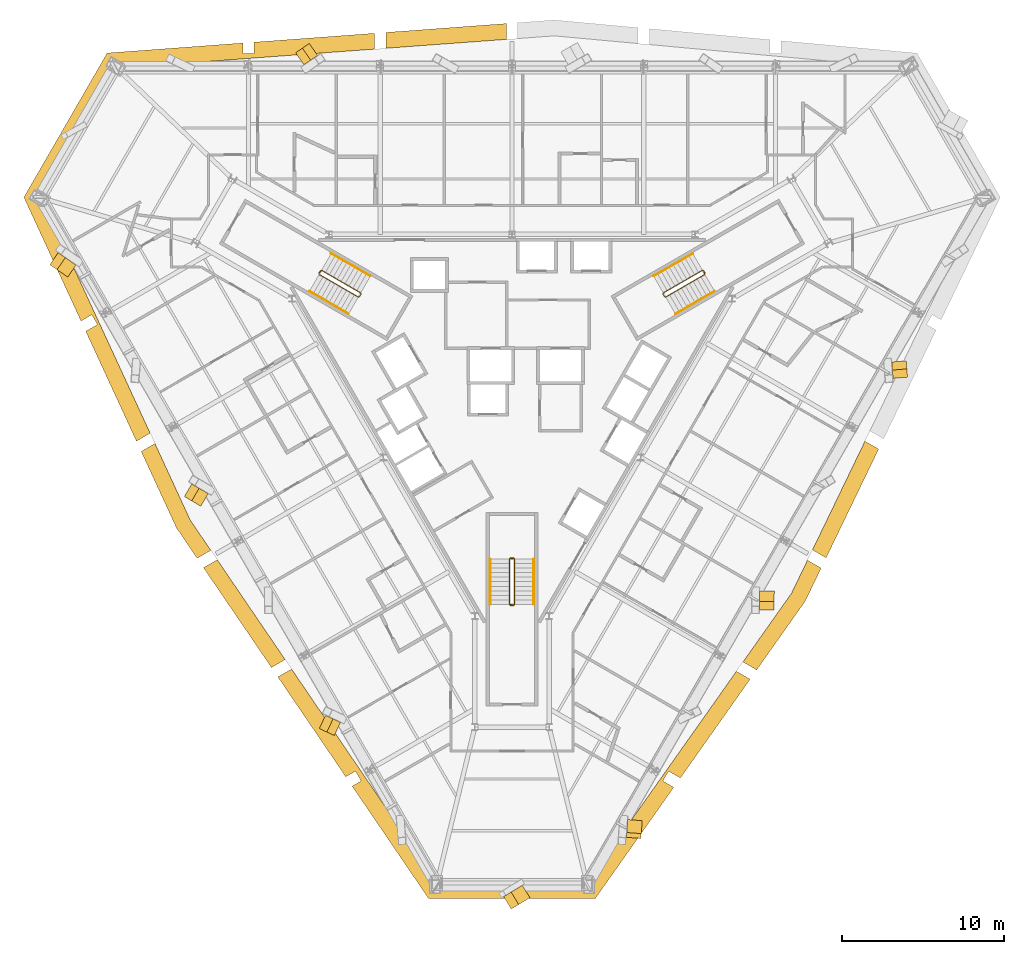
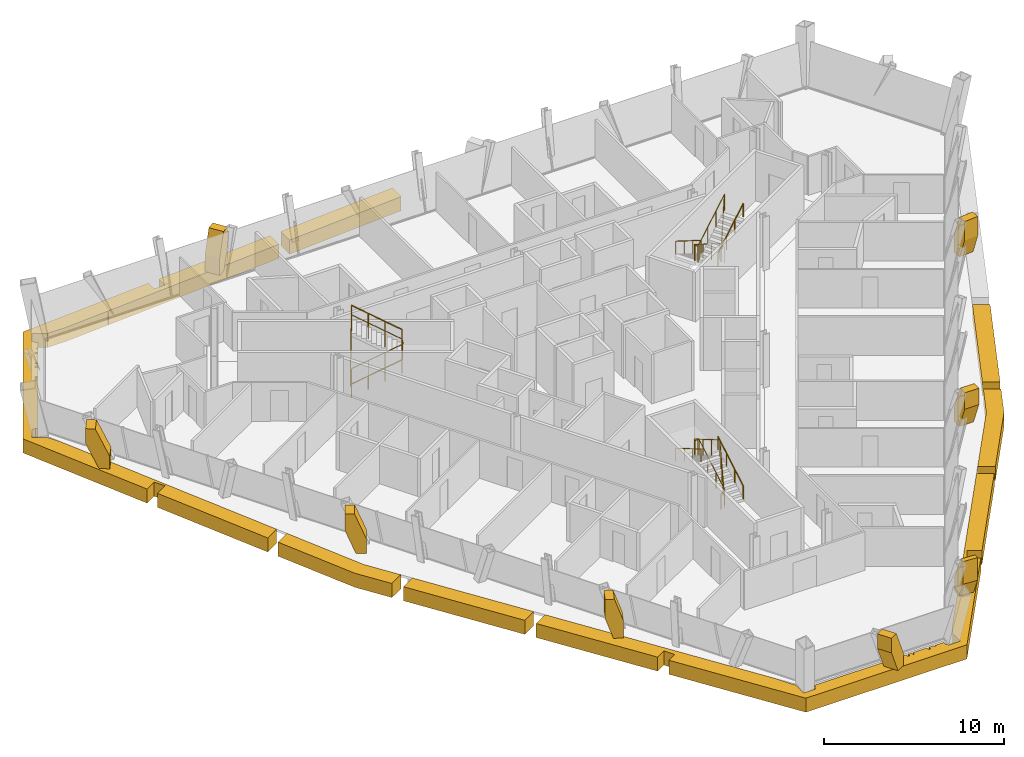
# One storey, part 13 of 14: 15 coverings, 9 railings.
"""IFC4 building model written with IfcOpenShell, lengths in metres."""

from ifc_helpers import new_model, si_unit, direction, frame, origin, origin_2d, place, context, subcontext, project, spatial, polyline, circle, outline, extrude, material, layer, layer_set, type_object, element, save


model = new_model("IFC4")

# Units and contexts
model_context = context("Model", 3, precision=1e-05, world=origin(), true_north=direction((0.0, 1.0)))
body_context = subcontext(model_context, "Body", "Model", "MODEL_VIEW")
ifc_project = project(units=[si_unit("LENGTHUNIT", "METRE"), si_unit("AREAUNIT", "SQUARE_METRE"), si_unit("VOLUMEUNIT", "CUBIC_METRE"), si_unit("PLANEANGLEUNIT", "RADIAN"), si_unit("MASSUNIT", "GRAM", prefix="KILO")], contexts=[model_context])

# Site, building, storey
site_placement = place(None, origin())
site = spatial("IfcSite", under=ifc_project, at=site_placement, CompositionType="ELEMENT")
building_placement = place(site_placement, origin())
building = spatial("IfcBuilding", under=site, at=building_placement, Name="Verrane Prism Tower", CompositionType="ELEMENT")
storey_placement = place(building_placement, frame((0.0, 0.0, 128.800048828125)))
storey = spatial("IfcBuildingStorey", under=building, at=storey_placement, Name="L31", CompositionType="ELEMENT", Elevation=128.800048828125)

# Railings
ifc_material_1 = material(Name="Steel A36 rail and posts, no infill", Category="steel")
railing_type_1 = type_object("IfcRailingType", Name="Stair guard 1100 steel rail and posts", PredefinedType="GUARDRAIL", material=ifc_material_1)
railing_1_placement = place(storey_placement, frame((11.78955078125, 6.97998046875, 0.16357421875)))
element("IfcRailing", 1, at=railing_1_placement, inside=storey, type_object=railing_type_1, Name="Stair 1 guard", PredefinedType="GUARDRAIL", context=body_context, shape_type="SweptSolid", body=[
    extrude(circle(Radius=0.02392578125, at=origin_2d()), frame((0.0, 0.0, 1.076171875), z_axis=(-0.747665513933, -0.431721881032, 0.504591415616), x_axis=(0.500049511043, -0.865996816683, 0.0)), (0.0, 0.0, 1.0), 3.2431640625),
    extrude(circle(Radius=0.02392578125, at=origin_2d()), frame((-2.4248046875, -1.400146484375, 2.71240234375), z_axis=(-0.259601060869, -0.965715946433, 0.0), x_axis=(0.965715946433, -0.259601060869, 0.0)), (0.0, 0.0, 1.0), 0.070556640625),
    extrude(circle(Radius=0.02392578125, at=origin_2d()), frame((-2.443115234375, -1.46826171875, 2.71240234375), z_axis=(0.499158860599, -0.866510491504, 0.0), x_axis=(0.866510491504, 0.499158860599, 0.0)), (0.0, 0.0, 1.0), 0.199951171875),
    extrude(circle(Radius=0.02392578125, at=origin_2d()), frame((-2.34326171875, -1.6416015625, 2.71240234375), z_axis=(0.383552647116, -0.102737316192, 0.917786691313), x_axis=(0.258736085224, 0.965948051503, 0.0)), (0.0, 0.0, 1.0), 0.17822265625),
    extrude(circle(Radius=0.02392578125, at=origin_2d()), frame((-2.27490234375, -1.659912109375, 2.8759765625), z_axis=(0.747693913401, 0.431738279637, 0.504535300807), x_axis=(-0.500049511043, 0.865996816683, 0.0)), (0.0, 0.0, 1.0), 3.2431640625),
    extrude(circle(Radius=0.02392578125, at=origin_2d()), frame((0.14990234375, -0.259765625, 4.51220703125), z_axis=(-0.022595193939, 0.066906128161, -0.9975033971), x_axis=(-0.947430582667, -0.3199613899, 0.0)), (0.0, 0.0, 1.0), 3.60888671875),
    extrude(circle(Radius=0.02392578125, at=origin_2d()), frame((0.068359375, -0.018310546875, 0.91259765625), z_axis=(0.499158860599, -0.866510491504, 0.0), x_axis=(0.866510491504, 0.499158860599, 0.0)), (0.0, 0.0, 1.0), 0.199951171875),
    extrude(circle(Radius=0.02099609375, at=origin_2d()), origin(), (0.0, 0.0, 1.0), 1.052001953125),
    extrude(circle(Radius=0.02099609375, at=origin_2d()), frame((-0.808349609375, -0.466796875, 0.54541015625)), (0.0, 0.0, 1.0), 1.052001953125),
    extrude(circle(Radius=0.02099609375, at=origin_2d()), frame((-1.616455078125, -0.933349609375, 1.091064453125)), (0.0, 0.0, 1.0), 1.052001953125),
    extrude(circle(Radius=0.02099609375, at=origin_2d()), frame((-2.4248046875, -1.400146484375, 1.636474609375)), (0.0, 0.0, 1.0), 1.052001953125),
    extrude(circle(Radius=0.02099609375, at=origin_2d()), frame((-2.443115234375, -1.46826171875, 1.636474609375)), (0.0, 0.0, 1.0), 1.052001953125),
    extrude(circle(Radius=0.02099609375, at=origin_2d()), frame((-2.34326171875, -1.6416015625, 1.636474609375)), (0.0, 0.0, 1.0), 1.052001953125),
    extrude(circle(Radius=0.02099609375, at=origin_2d()), frame((-2.27490234375, -1.659912109375, 1.800048828125)), (0.0, 0.0, 1.0), 1.052001953125),
    extrude(circle(Radius=0.02099609375, at=origin_2d()), frame((-1.466552734375, -1.193115234375, 2.345458984375)), (0.0, 0.0, 1.0), 1.052001953125),
    extrude(circle(Radius=0.02099609375, at=origin_2d()), frame((-0.658447265625, -0.7265625, 2.890869140625)), (0.0, 0.0, 1.0), 1.052001953125),
    extrude(circle(Radius=0.02099609375, at=origin_2d()), frame((0.14990234375, -0.259765625, 3.436279296875)), (0.0, 0.0, 1.0), 1.052001953125),
    extrude(circle(Radius=0.02099609375, at=origin_2d()), frame((0.12939453125, -0.199462890625, 2.536376953125)), (0.0, 0.0, 1.0), 1.052001953125),
    extrude(circle(Radius=0.02099609375, at=origin_2d()), frame((0.109130859375, -0.13916015625, 1.63623046875)), (0.0, 0.0, 1.0), 1.052001953125),
    extrude(circle(Radius=0.02099609375, at=origin_2d()), frame((0.0888671875, -0.07861328125, 0.736328125)), (0.0, 0.0, 1.0), 1.052001953125),
    extrude(circle(Radius=0.02099609375, at=origin_2d()), frame((0.068359375, -0.018310546875, -0.16357421875)), (0.0, 0.0, 1.0), 1.052001953125),
    extrude(circle(Radius=0.02099609375, at=origin_2d()), frame((0.168212890625, -0.191650390625, -0.16357421875)), (0.0, 0.0, 1.0), 1.052001953125),
])
railing_2_placement = place(storey_placement, frame((-11.939453125, 6.72021484375, 0.16357421875)))
element("IfcRailing", 2, at=railing_2_placement, inside=storey, type_object=railing_type_1, Name="Stair 2 guard", PredefinedType="GUARDRAIL", context=body_context, shape_type="SweptSolid", body=[
    extrude(circle(Radius=0.02392578125, at=origin_2d()), frame((0.0, 0.0, 1.076171875), z_axis=(0.747665513933, -0.431721881032, 0.504591415616), x_axis=(0.500049511043, 0.865996816683, 0.0)), (0.0, 0.0, 1.0), 3.2431640625),
    extrude(circle(Radius=0.02392578125, at=origin_2d()), frame((2.4248046875, -1.400146484375, 2.71240234375), z_axis=(0.965948051503, 0.258736085224, 0.0), x_axis=(-0.258736085224, 0.965948051503, 0.0)), (0.0, 0.0, 1.0), 0.07080078125),
    extrude(circle(Radius=0.02392578125, at=origin_2d()), frame((2.4931640625, -1.3818359375, 2.71240234375), z_axis=(0.499158860599, 0.866510491504, 0.0), x_axis=(-0.866510491504, 0.499158860599, 0.0)), (0.0, 0.0, 1.0), 0.199951171875),
    extrude(circle(Radius=0.02392578125, at=origin_2d()), frame((2.593017578125, -1.20849609375, 2.71240234375), z_axis=(-0.102791240646, 0.382383415203, 0.918268416436), x_axis=(-0.965715946433, -0.259601060869, 0.0)), (0.0, 0.0, 1.0), 0.17822265625),
    extrude(circle(Radius=0.02392578125, at=origin_2d()), frame((2.57470703125, -1.140380859375, 2.8759765625), z_axis=(-0.747693913401, 0.431738279637, 0.504535300807), x_axis=(-0.500049511043, -0.865996816683, 0.0)), (0.0, 0.0, 1.0), 3.2431640625),
    extrude(circle(Radius=0.02392578125, at=origin_2d()), frame((0.14990234375, 0.259765625, 4.51220703125), z_axis=(-0.046610908435, -0.053105316576, -0.997500500534), x_axis=(0.751567565678, -0.659656118156, 0.0)), (0.0, 0.0, 1.0), 3.60888671875),
    extrude(circle(Radius=0.02392578125, at=origin_2d()), frame((-0.018310546875, 0.068115234375, 0.91259765625), z_axis=(0.499158860599, 0.866510491504, 0.0), x_axis=(-0.866510491504, 0.499158860599, 0.0)), (0.0, 0.0, 1.0), 0.199951171875),
    extrude(circle(Radius=0.02099609375, at=origin_2d()), origin(), (0.0, 0.0, 1.0), 1.052001953125),
    extrude(circle(Radius=0.02099609375, at=origin_2d()), frame((0.808349609375, -0.466796875, 0.54541015625)), (0.0, 0.0, 1.0), 1.052001953125),
    extrude(circle(Radius=0.02099609375, at=origin_2d()), frame((1.616455078125, -0.933349609375, 1.091064453125)), (0.0, 0.0, 1.0), 1.052001953125),
    extrude(circle(Radius=0.02099609375, at=origin_2d()), frame((2.4248046875, -1.400146484375, 1.636474609375)), (0.0, 0.0, 1.0), 1.052001953125),
    extrude(circle(Radius=0.02099609375, at=origin_2d()), frame((2.4931640625, -1.3818359375, 1.636474609375)), (0.0, 0.0, 1.0), 1.052001953125),
    extrude(circle(Radius=0.02099609375, at=origin_2d()), frame((2.593017578125, -1.20849609375, 1.636474609375)), (0.0, 0.0, 1.0), 1.052001953125),
    extrude(circle(Radius=0.02099609375, at=origin_2d()), frame((2.57470703125, -1.140380859375, 1.800048828125)), (0.0, 0.0, 1.0), 1.052001953125),
    extrude(circle(Radius=0.02099609375, at=origin_2d()), frame((1.766357421875, -0.673583984375, 2.345458984375)), (0.0, 0.0, 1.0), 1.052001953125),
    extrude(circle(Radius=0.02099609375, at=origin_2d()), frame((0.958251953125, -0.20703125, 2.890869140625)), (0.0, 0.0, 1.0), 1.052001953125),
    extrude(circle(Radius=0.02099609375, at=origin_2d()), frame((0.14990234375, 0.259765625, 3.436279296875)), (0.0, 0.0, 1.0), 1.052001953125),
    extrude(circle(Radius=0.02099609375, at=origin_2d()), frame((0.10791015625, 0.2119140625, 2.536376953125)), (0.0, 0.0, 1.0), 1.052001953125),
    extrude(circle(Radius=0.02099609375, at=origin_2d()), frame((0.06591796875, 0.1640625, 1.63623046875)), (0.0, 0.0, 1.0), 1.052001953125),
    extrude(circle(Radius=0.02099609375, at=origin_2d()), frame((0.023681640625, 0.115966796875, 0.736328125)), (0.0, 0.0, 1.0), 1.052001953125),
    extrude(circle(Radius=0.02099609375, at=origin_2d()), frame((-0.018310546875, 0.068115234375, -0.16357421875)), (0.0, 0.0, 1.0), 1.052001953125),
    extrude(circle(Radius=0.02099609375, at=origin_2d()), frame((0.08154296875, 0.241455078125, -0.16357421875)), (0.0, 0.0, 1.0), 1.052001953125),
])
railing_3_placement = place(storey_placement, frame((0.14990234375, -13.699951171875, 0.16357421875)))
element("IfcRailing", 3, at=railing_3_placement, inside=storey, type_object=railing_type_1, Name="Stair 3 guard", PredefinedType="GUARDRAIL", context=body_context, shape_type="SweptSolid", body=[
    extrude(circle(Radius=0.02392578125, at=origin_2d()), frame((0.0, 0.0, 1.076171875), z_axis=(0.0, 0.863360870873, 0.504586966384), x_axis=(-1.0, 0.0, 0.0)), (0.0, 0.0, 1.0), 3.2431640625),
    extrude(circle(Radius=0.02392578125, at=origin_2d()), frame((0.0, 2.800048828125, 2.71240234375), z_axis=(-0.707106781187, 0.707106781187, 0.0), x_axis=(-0.707106781187, -0.707106781187, 0.0)), (0.0, 0.0, 1.0), 0.0703125),
    extrude(circle(Radius=0.02392578125, at=origin_2d()), frame((-0.0498046875, 2.849853515625, 2.71240234375), z_axis=(-1.0, 0.0, 0.0), x_axis=(0.0, -1.0, 0.0)), (0.0, 0.0, 1.0), 0.2001953125),
    extrude(circle(Radius=0.02392578125, at=origin_2d()), frame((-0.25, 2.849853515625, 2.71240234375), z_axis=(-0.279653641804, -0.279653641804, 0.918470294159), x_axis=(0.707106781187, -0.707106781187, 0.0)), (0.0, 0.0, 1.0), 0.177978515625),
    extrude(circle(Radius=0.02392578125, at=origin_2d()), frame((-0.2998046875, 2.800048828125, 2.8759765625), z_axis=(0.0, -0.863393664356, 0.504530851732), x_axis=(1.0, 0.0, 0.0)), (0.0, 0.0, 1.0), 3.2431640625),
    extrude(circle(Radius=0.02392578125, at=origin_2d()), frame((-0.2998046875, 0.0, 4.51220703125), z_axis=(0.069273741535, -0.013868278335, -0.997501288014), x_axis=(0.196300278283, 0.98054382908, 0.0)), (0.0, 0.0, 1.0), 3.60888671875),
    extrude(circle(Radius=0.02392578125, at=origin_2d()), frame((-0.0498046875, -0.050048828125, 0.91259765625), z_axis=(-1.0, 0.0, 0.0), x_axis=(0.0, -1.0, 0.0)), (0.0, 0.0, 1.0), 0.2001953125),
    extrude(circle(Radius=0.02099609375, at=origin_2d()), origin(), (0.0, 0.0, 1.0), 1.052001953125),
    extrude(circle(Radius=0.02099609375, at=origin_2d()), frame((0.0, 0.933349609375, 0.54541015625)), (0.0, 0.0, 1.0), 1.052001953125),
    extrude(circle(Radius=0.02099609375, at=origin_2d()), frame((0.0, 1.86669921875, 1.091064453125)), (0.0, 0.0, 1.0), 1.052001953125),
    extrude(circle(Radius=0.02099609375, at=origin_2d()), frame((0.0, 2.800048828125, 1.636474609375)), (0.0, 0.0, 1.0), 1.052001953125),
    extrude(circle(Radius=0.02099609375, at=origin_2d()), frame((-0.0498046875, 2.849853515625, 1.636474609375)), (0.0, 0.0, 1.0), 1.052001953125),
    extrude(circle(Radius=0.02099609375, at=origin_2d()), frame((-0.25, 2.849853515625, 1.636474609375)), (0.0, 0.0, 1.0), 1.052001953125),
    extrude(circle(Radius=0.02099609375, at=origin_2d()), frame((-0.2998046875, 2.800048828125, 1.800048828125)), (0.0, 0.0, 1.0), 1.052001953125),
    extrude(circle(Radius=0.02099609375, at=origin_2d()), frame((-0.2998046875, 1.86669921875, 2.345458984375)), (0.0, 0.0, 1.0), 1.052001953125),
    extrude(circle(Radius=0.02099609375, at=origin_2d()), frame((-0.2998046875, 0.933349609375, 2.890869140625)), (0.0, 0.0, 1.0), 1.052001953125),
    extrude(circle(Radius=0.02099609375, at=origin_2d()), frame((-0.2998046875, 0.0, 3.436279296875)), (0.0, 0.0, 1.0), 1.052001953125),
    extrude(circle(Radius=0.02099609375, at=origin_2d()), frame((-0.2373046875, -0.012451171875, 2.536376953125)), (0.0, 0.0, 1.0), 1.052001953125),
    extrude(circle(Radius=0.02099609375, at=origin_2d()), frame((-0.1748046875, -0.02490234375, 1.63623046875)), (0.0, 0.0, 1.0), 1.052001953125),
    extrude(circle(Radius=0.02099609375, at=origin_2d()), frame((-0.1123046875, -0.03759765625, 0.736328125)), (0.0, 0.0, 1.0), 1.052001953125),
    extrude(circle(Radius=0.02099609375, at=origin_2d()), frame((-0.0498046875, -0.050048828125, -0.16357421875)), (0.0, 0.0, 1.0), 1.052001953125),
    extrude(circle(Radius=0.02099609375, at=origin_2d()), frame((-0.25, -0.050048828125, -0.16357421875)), (0.0, 0.0, 1.0), 1.052001953125),
])
ifc_material_2 = material(Name="Steel A36 tube", Category="steel")
railing_type_2 = type_object("IfcRailingType", Name="Stair handrail 900 steel tube", PredefinedType="HANDRAIL", material=ifc_material_2)
railing_4_placement = place(storey_placement, frame((11.189453125, 8.01904296875, 0.16357421875)))
element("IfcRailing", 4, at=railing_4_placement, inside=storey, type_object=railing_type_2, Name="Stair 1 handrail", PredefinedType="HANDRAIL", context=body_context, shape_type="SweptSolid", body=[
    extrude(circle(Radius=0.02392578125, at=origin_2d()), frame((0.0, 0.0, 0.8759765625), z_axis=(-0.747689811644, -0.431660630283, 0.504607813879), x_axis=(0.49998411664, -0.866034573852, 0.0)), (0.0, 0.0, 1.0), 3.2431640625),
    extrude(circle(Radius=0.02099609375, at=origin_2d()), origin(), (0.0, 0.0, 1.0), 0.851806640625),
    extrude(circle(Radius=0.02099609375, at=origin_2d()), frame((-0.808349609375, -0.466552734375, 0.54541015625)), (0.0, 0.0, 1.0), 0.851806640625),
    extrude(circle(Radius=0.02099609375, at=origin_2d()), frame((-1.616455078125, -0.933349609375, 1.091064453125)), (0.0, 0.0, 1.0), 0.851806640625),
    extrude(circle(Radius=0.02099609375, at=origin_2d()), frame((-2.4248046875, -1.39990234375, 1.636474609375)), (0.0, 0.0, 1.0), 0.851806640625),
])
railing_5_placement = place(storey_placement, frame((10.11474609375, 4.28076171875, 1.963623046875)))
element("IfcRailing", 5, at=railing_5_placement, inside=storey, type_object=railing_type_2, Name="Stair 1 handrail", PredefinedType="HANDRAIL", context=body_context, shape_type="SweptSolid", body=[
    extrude(circle(Radius=0.02392578125, at=origin_2d()), frame((0.0, 0.0, 0.8759765625), z_axis=(0.747693913401, 0.431738279637, 0.504535300807), x_axis=(-0.500049511043, 0.865996816683, 0.0)), (0.0, 0.0, 1.0), 3.2431640625),
    extrude(circle(Radius=0.02099609375, at=origin_2d()), origin(), (0.0, 0.0, 1.0), 0.851806640625),
    extrude(circle(Radius=0.02099609375, at=origin_2d()), frame((0.808349609375, 0.466796875, 0.54541015625)), (0.0, 0.0, 1.0), 0.851806640625),
    extrude(circle(Radius=0.02099609375, at=origin_2d()), frame((1.616455078125, 0.933349609375, 1.0908203125)), (0.0, 0.0, 1.0), 0.851806640625),
    extrude(circle(Radius=0.02099609375, at=origin_2d()), frame((2.4248046875, 1.400146484375, 1.63623046875)), (0.0, 0.0, 1.0), 0.851806640625),
])
railing_6_placement = place(storey_placement, frame((-12.53955078125, 5.680908203125, 0.16357421875)))
element("IfcRailing", 6, at=railing_6_placement, inside=storey, type_object=railing_type_2, Name="Stair 2 handrail", PredefinedType="HANDRAIL", context=body_context, shape_type="SweptSolid", body=[
    extrude(circle(Radius=0.02392578125, at=origin_2d()), frame((0.0, 0.0, 0.8759765625), z_axis=(0.747665513933, -0.431721881032, 0.504591415616), x_axis=(0.500049511043, 0.865996816683, 0.0)), (0.0, 0.0, 1.0), 3.2431640625),
    extrude(circle(Radius=0.02099609375, at=origin_2d()), origin(), (0.0, 0.0, 1.0), 0.851806640625),
    extrude(circle(Radius=0.02099609375, at=origin_2d()), frame((0.808349609375, -0.466796875, 0.54541015625)), (0.0, 0.0, 1.0), 0.851806640625),
    extrude(circle(Radius=0.02099609375, at=origin_2d()), frame((1.616455078125, -0.933349609375, 1.091064453125)), (0.0, 0.0, 1.0), 0.851806640625),
    extrude(circle(Radius=0.02099609375, at=origin_2d()), frame((2.4248046875, -1.400146484375, 1.636474609375)), (0.0, 0.0, 1.0), 0.851806640625),
])
railing_7_placement = place(storey_placement, frame((-8.7646484375, 6.619140625, 1.963623046875)))
element("IfcRailing", 7, at=railing_7_placement, inside=storey, type_object=railing_type_2, Name="Stair 2 handrail", PredefinedType="HANDRAIL", context=body_context, shape_type="SweptSolid", body=[
    extrude(circle(Radius=0.02392578125, at=origin_2d()), frame((0.0, 0.0, 0.8759765625), z_axis=(-0.74771821388, 0.431677027627, 0.504551698492), x_axis=(-0.49998411664, -0.866034573852, 0.0)), (0.0, 0.0, 1.0), 3.242919921875),
    extrude(circle(Radius=0.02099609375, at=origin_2d()), origin(), (0.0, 0.0, 1.0), 0.851806640625),
    extrude(circle(Radius=0.02099609375, at=origin_2d()), frame((-0.808349609375, 0.466552734375, 0.54541015625)), (0.0, 0.0, 1.0), 0.851806640625),
    extrude(circle(Radius=0.02099609375, at=origin_2d()), frame((-1.616455078125, 0.933349609375, 1.0908203125)), (0.0, 0.0, 1.0), 0.851806640625),
    extrude(circle(Radius=0.02099609375, at=origin_2d()), frame((-2.4248046875, 1.39990234375, 1.63623046875)), (0.0, 0.0, 1.0), 0.851806640625),
])
railing_8_placement = place(storey_placement, frame((1.35009765625, -13.699951171875, 0.16357421875)))
element("IfcRailing", 8, at=railing_8_placement, inside=storey, type_object=railing_type_2, Name="Stair 3 handrail", PredefinedType="HANDRAIL", context=body_context, shape_type="SweptSolid", body=[
    extrude(circle(Radius=0.02392578125, at=origin_2d()), frame((0.0, 0.0, 0.8759765625), z_axis=(0.0, 0.863360870873, 0.504586966384), x_axis=(-1.0, 0.0, 0.0)), (0.0, 0.0, 1.0), 3.2431640625),
    extrude(circle(Radius=0.02099609375, at=origin_2d()), origin(), (0.0, 0.0, 1.0), 0.851806640625),
    extrude(circle(Radius=0.02099609375, at=origin_2d()), frame((0.0, 0.933349609375, 0.54541015625)), (0.0, 0.0, 1.0), 0.851806640625),
    extrude(circle(Radius=0.02099609375, at=origin_2d()), frame((0.0, 1.86669921875, 1.091064453125)), (0.0, 0.0, 1.0), 0.851806640625),
    extrude(circle(Radius=0.02099609375, at=origin_2d()), frame((0.0, 2.800048828125, 1.636474609375)), (0.0, 0.0, 1.0), 0.851806640625),
])
railing_9_placement = place(storey_placement, frame((-1.35009765625, -10.89990234375, 1.963623046875)))
element("IfcRailing", 9, at=railing_9_placement, inside=storey, type_object=railing_type_2, Name="Stair 3 handrail", PredefinedType="HANDRAIL", context=body_context, shape_type="SweptSolid", body=[
    extrude(circle(Radius=0.02392578125, at=origin_2d()), frame((0.0, 0.0, 0.8759765625), z_axis=(0.0, -0.863393664356, 0.504530851732), x_axis=(1.0, 0.0, 0.0)), (0.0, 0.0, 1.0), 3.2431640625),
    extrude(circle(Radius=0.02099609375, at=origin_2d()), origin(), (0.0, 0.0, 1.0), 0.851806640625),
    extrude(circle(Radius=0.02099609375, at=origin_2d()), frame((0.0, -0.933349609375, 0.54541015625)), (0.0, 0.0, 1.0), 0.851806640625),
    extrude(circle(Radius=0.02099609375, at=origin_2d()), frame((0.0, -1.86669921875, 1.0908203125)), (0.0, 0.0, 1.0), 0.851806640625),
    extrude(circle(Radius=0.02099609375, at=origin_2d()), frame((0.0, -2.800048828125, 1.63623046875)), (0.0, 0.0, 1.0), 0.851806640625),
])

# Coverings
ifc_material_3 = material(Name="Warm limestone cladding", Category="masonry")
ifc_layer_1 = layer(ifc_material_3, 0.89990234375)
ifc_layer_set_1 = layer_set([ifc_layer_1], Name="Stone brace fin 900")
covering_type_1 = type_object("IfcCoveringType", Name="Stone brace fin 900", PredefinedType="CLADDING", material=ifc_layer_set_1)
covering_1_placement = place(storey_placement, frame((-13.134765625, 20.069091796875, 0.0), z_axis=(0.0, 0.0, 1.0), x_axis=(0.822638957007, 0.568564109327, 0.0)))
element("IfcCovering", 10, at=covering_1_placement, inside=storey, type_object=covering_type_1, Name="Stone brace fin N5 L31", PredefinedType="CLADDING", context=body_context, shape_type="SweptSolid", body=[
    extrude(outline(polyline([(1.0224609375, 2.64990234375), (0.5078125, 2.64990234375), (0.0, 1.15576171875), (0.0, 0.0), (0.5576171875, 0.0), (1.0224609375, 1.3671875), (1.0224609375, 2.64990234375)])), frame((0.0, 0.449951171875, 0.0), z_axis=(0.0, -1.0, 0.0), x_axis=(1.0, 0.0, 0.0)), (0.0, 0.0, 1.0), 0.89990234375),
])
covering_2_placement = place(storey_placement, frame((-27.242919921875, 6.93359375, 0.0), z_axis=(0.0, 0.0, 1.0), x_axis=(-0.823819783975, 0.566851800324, 0.0)))
element("IfcCovering", 11, at=covering_2_placement, inside=storey, type_object=covering_type_1, Name="Stone brace fin SW1 L31", PredefinedType="CLADDING", context=body_context, shape_type="SweptSolid", body=[
    extrude(outline(polyline([(1.34716796875, 2.64990234375), (0.802490234375, 2.64990234375), (0.0, 0.8583984375), (0.0, 0.0), (0.601806640625, 0.0), (1.34716796875, 1.66455078125), (1.34716796875, 2.64990234375)])), frame((0.0, 0.449951171875, 0.0), z_axis=(0.0, -1.0, 0.0), x_axis=(1.0, 0.0, 0.0)), (0.0, 0.0, 1.0), 0.89990234375),
])
covering_3_placement = place(storey_placement, frame((-19.03515625, -7.234130859375, 0.0), z_axis=(0.0, 0.0, 1.0), x_axis=(-0.862582721978, 0.50591604812, 0.0)))
element("IfcCovering", 12, at=covering_3_placement, inside=storey, type_object=covering_type_1, Name="Stone brace fin SW3 L31", PredefinedType="CLADDING", context=body_context, shape_type="SweptSolid", body=[
    extrude(outline(polyline([(1.17919921875, 2.64990234375), (0.650634765625, 2.64990234375), (0.0, 0.990234375), (0.0, 0.0), (0.57861328125, 0.0), (1.17919921875, 1.53271484375), (1.17919921875, 2.64990234375)])), frame((0.0, 0.449951171875, 0.0), z_axis=(0.0, -1.0, 0.0), x_axis=(1.0, 0.0, 0.0)), (0.0, 0.0, 1.0), 0.89990234375),
])
covering_4_placement = place(storey_placement, frame((-10.80859375, -21.410400390625, 0.0), z_axis=(0.0, 0.0, 1.0), x_axis=(-0.905527898853, 0.424286724278, 0.0)))
element("IfcCovering", 13, at=covering_4_placement, inside=storey, type_object=covering_type_1, Name="Stone brace fin SW5 L31", PredefinedType="CLADDING", context=body_context, shape_type="SweptSolid", body=[
    extrude(outline(polyline([(1.0205078125, 2.64990234375), (0.506103515625, 2.64990234375), (0.0, 1.158203125), (0.0, 0.0), (0.5576171875, 0.0), (1.0205078125, 1.36474609375), (1.0205078125, 2.64990234375)])), frame((0.0, 0.449951171875, 0.0), z_axis=(0.0, -1.0, 0.0), x_axis=(1.0, 0.0, 0.0)), (0.0, 0.0, 1.0), 0.89990234375),
])
covering_5_placement = place(storey_placement, frame((7.61376953125, -27.056640625, 0.0), z_axis=(0.0, 0.0, 1.0), x_axis=(-0.075357465758, -0.997156583669, 0.0)))
element("IfcCovering", 14, at=covering_5_placement, inside=storey, type_object=covering_type_1, Name="Stone brace fin SE1 L31", PredefinedType="CLADDING", context=body_context, shape_type="SweptSolid", body=[
    extrude(outline(polyline([(1.1015625, 2.64990234375), (0.8037109375, 2.64990234375), (0.0, 0.857177734375), (0.0, 0.0), (0.601806640625, 0.0), (1.1015625, 1.1142578125), (1.1015625, 2.64990234375)])), frame((0.0, 0.449951171875, 0.0), z_axis=(0.0, -1.0, 0.0), x_axis=(1.0, 0.0, 0.0)), (0.0, 0.0, 1.0), 0.89990234375),
])
covering_6_placement = place(storey_placement, frame((15.78466796875, -12.862548828125, 0.0), z_axis=(0.0, 0.0, 1.0), x_axis=(-0.006795559726, -0.999976909917, 0.0)))
element("IfcCovering", 15, at=covering_6_placement, inside=storey, type_object=covering_type_1, Name="Stone brace fin SE3 L31", PredefinedType="CLADDING", context=body_context, shape_type="SweptSolid", body=[
    extrude(outline(polyline([(1.185546875, 2.64990234375), (0.656494140625, 2.64990234375), (0.0, 0.984619140625), (0.0, 0.0), (0.579345703125, 0.0), (1.185546875, 1.538330078125), (1.185546875, 2.64990234375)])), frame((0.0, 0.449951171875, 0.0), z_axis=(0.0, -1.0, 0.0), x_axis=(1.0, 0.0, 0.0)), (0.0, 0.0, 1.0), 0.89990234375),
])
covering_7_placement = place(storey_placement, frame((23.951904296875, 1.339111328125, 0.0), z_axis=(0.0, 0.0, 1.0), x_axis=(0.079649868483, -0.99682290225, 0.0)))
element("IfcCovering", 16, at=covering_7_placement, inside=storey, type_object=covering_type_1, Name="Stone brace fin SE5 L31", PredefinedType="CLADDING", context=body_context, shape_type="SweptSolid", body=[
    extrude(outline(polyline([(1.017578125, 2.64990234375), (0.50341796875, 2.64990234375), (0.0, 1.161865234375), (0.0, 0.0), (0.55712890625, 0.0), (1.017578125, 1.361083984375), (1.017578125, 2.64990234375)])), frame((0.0, 0.449951171875, 0.0), z_axis=(0.0, -1.0, 0.0), x_axis=(1.0, 0.0, 0.0)), (0.0, 0.0, 1.0), 0.89990234375),
])
covering_8_placement = place(storey_placement, frame((0.87353515625, -31.476806640625, 0.0), z_axis=(0.0, 0.0, 1.0), x_axis=(-0.855090972086, -0.518477993223, 0.0)))
element("IfcCovering", 17, at=covering_8_placement, inside=storey, type_object=covering_type_1, Name="Stone brace fin S1 L31", PredefinedType="CLADDING", context=body_context, shape_type="SweptSolid", body=[
    extrude(outline(polyline([(1.350341796875, 2.64990234375), (0.808349609375, 2.64990234375), (0.0, 0.85205078125), (0.0, 0.0), (0.603515625, 0.0), (1.350341796875, 1.66064453125), (1.350341796875, 2.64990234375)])), frame((0.0, 0.449951171875, 0.0), z_axis=(0.0, -1.0, 0.0), x_axis=(1.0, 0.0, 0.0)), (0.0, 0.0, 1.0), 0.89990234375),
])
ifc_material_4 = material(Name="Warm limestone cladding", Category="masonry")
ifc_layer_2 = layer(ifc_material_4, 0.449951171875)
ifc_layer_set_2 = layer_set([ifc_layer_2], Name="Stone spandrel band 450")
covering_type_2 = type_object("IfcCoveringType", Name="Stone spandrel band 450", PredefinedType="CLADDING", material=ifc_layer_set_2)
covering_9_placement = place(storey_placement, frame((0.0, 0.0, -0.949951171875)))
element("IfcCovering", 18, at=covering_9_placement, inside=storey, type_object=covering_type_2, Name="Stone spandrel band L31 part 2", PredefinedType="CLADDING", context=body_context, shape_type="SweptSolid", body=[
    extrude(outline(polyline([(-22.397216796875, -3.107666015625), (-28.50146484375, 10.119140625), (-28.9697265625, 10.93017578125), (-29.7158203125, 11.36083984375), (-29.335693359375, 12.01904296875), (-29.316650390625, 12.008056640625), (-29.094482421875, 12.008056640625), (-28.982666015625, 11.943603515625), (-26.68310546875, 15.926513671875), (-26.79638671875, 16.13330078125), (-26.66015625, 16.2080078125), (-26.59228515625, 16.083984375), (-26.52099609375, 16.207275390625), (-26.663330078125, 16.289306640625), (-26.625, 16.355712890625), (-26.482666015625, 16.273681640625), (-26.031494140625, 17.05517578125), (-26.174072265625, 17.137451171875), (-26.110595703125, 17.24755859375), (-25.968017578125, 17.165283203125), (-25.85791015625, 17.355712890625), (-26.00048828125, 17.43798828125), (-25.96240234375, 17.50439453125), (-25.819580078125, 17.422119140625), (-25.368408203125, 18.20361328125), (-25.51123046875, 18.2861328125), (-25.447509765625, 18.396240234375), (-25.3046875, 18.313720703125), (-25.153076171875, 18.57666015625), (-25.1923828125, 18.691162109375), (-25.1259765625, 18.714111328125), (-25.1064453125, 18.6572265625), (-24.833251953125, 19.130615234375), (-24.945556640625, 19.195556640625), (-25.056884765625, 19.389892578125), (-25.07568359375, 19.40087890625), (-24.69580078125, 20.05908203125), (-23.94091796875, 19.623291015625), (-22.666015625, 19.623291015625), (-19.937255859375, 19.824951171875), (-19.936279296875, 19.826904296875), (-19.9326171875, 19.8251953125), (-8.507080078125, 20.6689453125), (-8.507080078125, 21.649658203125), (-15.964599609375, 21.09912109375), (-15.964599609375, 20.409912109375), (-16.66455078125, 20.409912109375), (-16.66455078125, 21.04736328125), (-25.059814453125, 20.42724609375), (-30.215087890625, 11.498291015625), (-26.68017578125, 3.838623046875), (-26.008544921875, 4.226318359375), (-25.65869140625, 3.6201171875), (-26.3857421875, 3.200439453125), (-23.247802734375, -3.598876953125), (-22.397216796875, -3.107666015625)])), origin(), (0.0, 0.0, 1.0), 0.949951171875),
])
covering_10_placement = place(storey_placement, frame((0.0, 0.0, -0.949951171875)))
element("IfcCovering", 19, at=covering_10_placement, inside=storey, type_object=covering_type_2, Name="Stone spandrel band L31 part 3", PredefinedType="CLADDING", context=body_context, shape_type="SweptSolid", body=[
    extrude(outline(polyline([(5.149658203125, -31.916259765625), (10.015869140625, -25.02490234375), (9.3408203125, -24.63525390625), (9.69091796875, -24.029052734375), (10.421142578125, -24.45068359375), (14.740478515625, -18.333984375), (13.889892578125, -17.8427734375), (5.4873046875, -29.742431640625), (5.02001953125, -30.5517578125), (5.02001953125, -31.419921875), (4.260009765625, -31.419921875), (4.260009765625, -31.39794921875), (4.14892578125, -31.20361328125), (4.14892578125, -31.0712890625), (3.5986328125, -31.0712890625), (3.64111328125, -31.120361328125), (3.58740234375, -31.166748046875), (3.5048828125, -31.0712890625), (3.204345703125, -31.0712890625), (3.204345703125, -31.239990234375), (3.077392578125, -31.239990234375), (3.077392578125, -31.0712890625), (2.175048828125, -31.0712890625), (2.175048828125, -31.239990234375), (2.098388671875, -31.239990234375), (2.098388671875, -31.0712890625), (1.878662109375, -31.0712890625), (1.878662109375, -31.239990234375), (1.751708984375, -31.239990234375), (1.751708984375, -31.0712890625), (0.849365234375, -31.0712890625), (0.849365234375, -31.239990234375), (0.772705078125, -31.239990234375), (0.772705078125, -31.0712890625), (0.627685546875, -31.0712890625), (0.70361328125, -31.196533203125), (0.57080078125, -31.277099609375), (0.4462890625, -31.0712890625), (-4.14892578125, -31.0712890625), (-4.14892578125, -31.20361328125), (-4.260009765625, -31.39794921875), (-4.260009765625, -31.419921875), (-5.02001953125, -31.419921875), (-5.02001953125, -30.5517578125), (-5.661376953125, -29.44091796875), (-13.646240234375, -17.701904296875), (-14.49560546875, -18.1923828125), (-10.2900390625, -24.375), (-9.69091796875, -24.029052734375), (-9.3408203125, -24.63525390625), (-9.895263671875, -24.95556640625), (-5.16064453125, -31.916259765625), (5.149658203125, -31.916259765625)])), origin(), (0.0, 0.0, 1.0), 0.949951171875),
])
covering_11_placement = place(storey_placement, frame((0.0, 0.0, -0.949951171875)))
element("IfcCovering", 20, at=covering_11_placement, inside=storey, type_object=covering_type_2, Name="Stone spandrel band L31 part 4", PredefinedType="CLADDING", context=body_context, shape_type="SweptSolid", body=[
    extrude(outline(polyline([(-18.641357421875, -10.3583984375), (-19.916015625, -8.484375), (-22.102783203125, -3.74609375), (-22.953369140625, -4.237060546875), (-20.770263671875, -8.9677734375), (-19.49072265625, -10.848876953125), (-18.641357421875, -10.3583984375)])), origin(), (0.0, 0.0, 1.0), 0.949951171875),
])
covering_12_placement = place(storey_placement, frame((0.0, 0.0, -0.949951171875)))
element("IfcCovering", 21, at=covering_12_placement, inside=storey, type_object=covering_type_2, Name="Stone spandrel band L31 part 5", PredefinedType="CLADDING", context=body_context, shape_type="SweptSolid", body=[
    extrude(outline(polyline([(-14.890380859375, -17.612060546875), (-14.041015625, -17.12158203125), (-18.24658203125, -10.938720703125), (-19.095947265625, -11.42919921875), (-14.890380859375, -17.612060546875)])), origin(), (0.0, 0.0, 1.0), 0.949951171875),
])
covering_13_placement = place(storey_placement, frame((0.0, 0.0, -0.949951171875)))
element("IfcCovering", 22, at=covering_13_placement, inside=storey, type_object=covering_type_2, Name="Stone spandrel band L31 part 6", PredefinedType="CLADDING", context=body_context, shape_type="SweptSolid", body=[
    extrude(outline(polyline([(19.140625, -11.455078125), (18.291259765625, -10.964599609375), (17.3056640625, -13.005615234375), (14.29541015625, -17.2685546875), (15.14599609375, -17.759765625), (18.1513671875, -13.503662109375), (19.140625, -11.455078125)])), origin(), (0.0, 0.0, 1.0), 0.949951171875),
])
covering_14_placement = place(storey_placement, frame((0.0, 0.0, -0.949951171875)))
element("IfcCovering", 23, at=covering_14_placement, inside=storey, type_object=covering_type_2, Name="Stone spandrel band L31 part 7", PredefinedType="CLADDING", context=body_context, shape_type="SweptSolid", body=[
    extrude(outline(polyline([(22.697509765625, -4.08935546875), (21.848388671875, -3.59912109375), (18.596435546875, -10.33251953125), (19.44580078125, -10.822998046875), (22.697509765625, -4.08935546875)])), origin(), (0.0, 0.0, 1.0), 0.949951171875),
])
covering_15_placement = place(storey_placement, frame((0.0, 0.0, -0.949951171875)))
element("IfcCovering", 24, at=covering_15_placement, inside=storey, type_object=covering_type_2, Name="Stone spandrel band L31 part 9", PredefinedType="CLADDING", context=body_context, shape_type="SweptSolid", body=[
    extrude(outline(polyline([(-7.80712890625, 20.720703125), (-0.35009765625, 21.271484375), (-0.35009765625, 22.252197265625), (-7.80712890625, 21.701416015625), (-7.80712890625, 20.720703125)])), origin(), (0.0, 0.0, 1.0), 0.949951171875),
])

save(model, "model.ifc")
